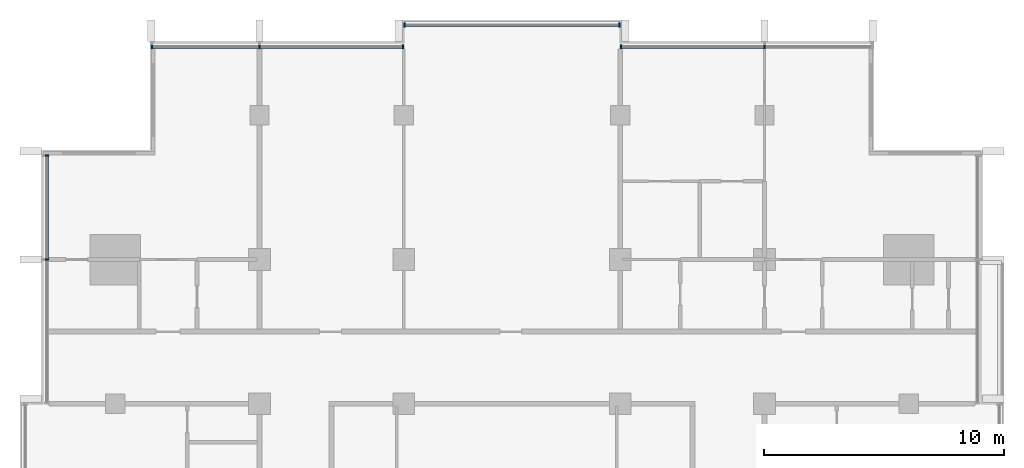
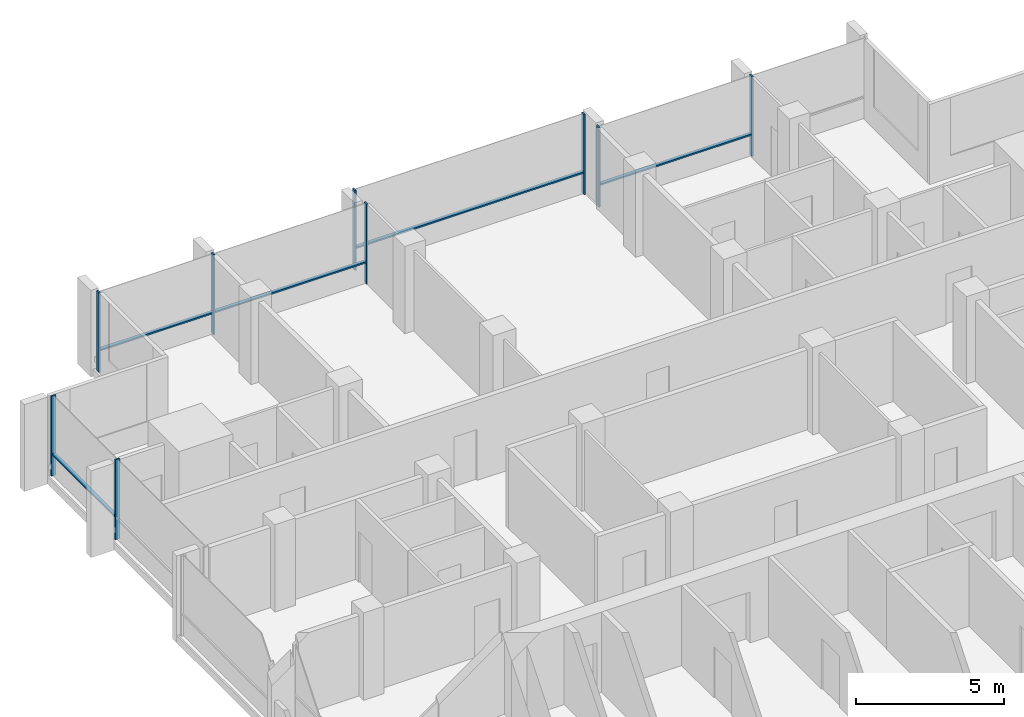
# One storey, part 4 of 16: 14 members, 4 elements without a shape of their own.
"""IFC4 building model written with IfcOpenShell, lengths in metres."""

from ifc_helpers import new_model, si_unit, direction, frame, origin, origin_2d, place, context, subcontext, project, spatial, rectangle, extrude, material, material_profile, profile_set, type_object, element, aggregate, save


model = new_model("IFC4")

# Units and contexts
model_context = context("Model", 3, precision=1e-05, world=origin(), true_north=direction((0.0, 1.0)))
body_context = subcontext(model_context, "Body", "Model", "MODEL_VIEW")
ifc_project = project(units=[si_unit("LENGTHUNIT", "METRE"), si_unit("AREAUNIT", "SQUARE_METRE"), si_unit("VOLUMEUNIT", "CUBIC_METRE"), si_unit("PLANEANGLEUNIT", "RADIAN"), si_unit("MASSUNIT", "GRAM", prefix="KILO")], contexts=[model_context])

# Site, building, storey
site_placement = place(None, origin())
site = spatial("IfcSite", under=ifc_project, at=site_placement, CompositionType="ELEMENT")
building_placement = place(site_placement, origin())
building = spatial("IfcBuilding", under=site, at=building_placement, Name="Finial Court Residences", CompositionType="ELEMENT")
storey_placement = place(building_placement, frame((0.0, 0.0, 212.300048828125)))
storey = spatial("IfcBuildingStorey", under=building, at=storey_placement, Name="L53", CompositionType="ELEMENT", Elevation=212.300048828125)

# Curtain wall, members
ifc_material = material(Name="Bronze anodised aluminium", Category="aluminium")
curtain_wall_type = type_object("IfcCurtainWallType", Name="Unitised curtain wall, upper zones", PredefinedType="NOTDEFINED", material=ifc_material)
curtain_wall_1_placement = place(storey_placement, origin())
curtain_wall_1 = element("IfcCurtainWall", 1, at=curtain_wall_1_placement, inside=storey, type_object=curtain_wall_type, Name="E-L53-CW-N1", PredefinedType="NOTDEFINED")
ifc_material_profile_1 = material_profile(ifc_material, rectangle(XDim=0.175048828125, YDim=0.06005859375, at=origin_2d()), Name="CW2 mullion 60 x 175")
ifc_profile_set_1 = profile_set([ifc_material_profile_1], Name="Bronze anodised aluminium")
member_type_1 = type_object("IfcMemberType", Name="CW2 mullion 60 x 175", PredefinedType="MULLION", material=ifc_profile_set_1)
member_1_placement = place(storey_placement, frame((-14.969970703125, 16.35009765625, 0.0), z_axis=(0.0, 0.0, 1.0), x_axis=(0.0, 1.0, 0.0)))
member_1 = element("IfcMember", 2, at=member_1_placement, type_object=member_type_1, Name="CW2 mullion 1", PredefinedType="MULLION", context=body_context, shape_type="SweptSolid", body=[
    extrude(rectangle(XDim=0.175048828125, YDim=0.06005859375, at=origin_2d()), origin(), (0.0, 0.0, 1.0), 3.300048828125),
])
member_2_placement = place(storey_placement, frame((-10.5, 16.35009765625, 0.0), z_axis=(0.0, 0.0, 1.0), x_axis=(0.0, 1.0, 0.0)))
member_2 = element("IfcMember", 3, at=member_2_placement, type_object=member_type_1, Name="CW2 mullion 2", PredefinedType="MULLION", context=body_context, shape_type="SweptSolid", body=[
    extrude(rectangle(XDim=0.175048828125, YDim=0.06005859375, at=origin_2d()), origin(), (0.0, 0.0, 1.0), 3.300048828125),
])
member_3_placement = place(storey_placement, frame((-4.530029296875, 16.35009765625, 0.0), z_axis=(0.0, 0.0, 1.0), x_axis=(0.0, 1.0, 0.0)))
member_3 = element("IfcMember", 4, at=member_3_placement, type_object=member_type_1, Name="CW2 mullion 3", PredefinedType="MULLION", context=body_context, shape_type="SweptSolid", body=[
    extrude(rectangle(XDim=0.175048828125, YDim=0.06005859375, at=origin_2d()), origin(), (0.0, 0.0, 1.0), 3.300048828125),
])

curtain_wall_2_placement = place(storey_placement, origin())
curtain_wall_2 = element("IfcCurtainWall", 5, at=curtain_wall_2_placement, inside=storey, type_object=curtain_wall_type, Name="E-L53-CW-N2", PredefinedType="NOTDEFINED")
member_4_placement = place(storey_placement, frame((-4.469970703125, 17.25, 0.0), z_axis=(0.0, 0.0, 1.0), x_axis=(0.0, 1.0, 0.0)))
member_4 = element("IfcMember", 6, at=member_4_placement, type_object=member_type_1, Name="CW2 mullion 1", PredefinedType="MULLION", context=body_context, shape_type="SweptSolid", body=[
    extrude(rectangle(XDim=0.175048828125, YDim=0.06005859375, at=origin_2d()), origin(), (0.0, 0.0, 1.0), 3.300048828125),
])
member_5_placement = place(storey_placement, frame((4.469970703125, 17.25, 0.0), z_axis=(0.0, 0.0, 1.0), x_axis=(0.0, 1.0, 0.0)))
member_5 = element("IfcMember", 7, at=member_5_placement, type_object=member_type_1, Name="CW2 mullion 2", PredefinedType="MULLION", context=body_context, shape_type="SweptSolid", body=[
    extrude(rectangle(XDim=0.175048828125, YDim=0.06005859375, at=origin_2d()), origin(), (0.0, 0.0, 1.0), 3.300048828125),
])

curtain_wall_3_placement = place(storey_placement, origin())
curtain_wall_3 = element("IfcCurtainWall", 8, at=curtain_wall_3_placement, inside=storey, type_object=curtain_wall_type, Name="E-L53-CW-N3", PredefinedType="NOTDEFINED")
member_6_placement = place(storey_placement, frame((4.530029296875, 16.35009765625, 0.0), z_axis=(0.0, 0.0, 1.0), x_axis=(0.0, 1.0, 0.0)))
member_6 = element("IfcMember", 9, at=member_6_placement, type_object=member_type_1, Name="CW2 mullion 1", PredefinedType="MULLION", context=body_context, shape_type="SweptSolid", body=[
    extrude(rectangle(XDim=0.175048828125, YDim=0.06005859375, at=origin_2d()), origin(), (0.0, 0.0, 1.0), 3.300048828125),
])
member_7_placement = place(storey_placement, frame((10.5, 16.35009765625, 0.0), z_axis=(0.0, 0.0, 1.0), x_axis=(0.0, 1.0, 0.0)))
member_7 = element("IfcMember", 10, at=member_7_placement, type_object=member_type_1, Name="CW2 mullion 2", PredefinedType="MULLION", context=body_context, shape_type="SweptSolid", body=[
    extrude(rectangle(XDim=0.175048828125, YDim=0.06005859375, at=origin_2d()), origin(), (0.0, 0.0, 1.0), 3.300048828125),
])

curtain_wall_4_placement = place(storey_placement, origin())
curtain_wall_4 = element("IfcCurtainWall", 11, at=curtain_wall_4_placement, inside=storey, type_object=curtain_wall_type, Name="E-L53-CW-W11", PredefinedType="NOTDEFINED")
member_8_placement = place(storey_placement, frame((-19.35009765625, 7.5, 0.0), z_axis=(0.0, 0.0, 1.0), x_axis=(-1.0, 0.0, 0.0)))
member_8 = element("IfcMember", 12, at=member_8_placement, type_object=member_type_1, Name="CW2 mullion 2", PredefinedType="MULLION", context=body_context, shape_type="SweptSolid", body=[
    extrude(rectangle(XDim=0.175048828125, YDim=0.06005859375, at=origin_2d()), origin(), (0.0, 0.0, 1.0), 3.300048828125),
])
member_9_placement = place(storey_placement, frame((-19.35009765625, 11.820068359375, 0.0), z_axis=(0.0, 0.0, 1.0), x_axis=(-1.0, 0.0, 0.0)))
member_9 = element("IfcMember", 13, at=member_9_placement, type_object=member_type_1, Name="CW2 mullion 3", PredefinedType="MULLION", context=body_context, shape_type="SweptSolid", body=[
    extrude(rectangle(XDim=0.175048828125, YDim=0.06005859375, at=origin_2d()), origin(), (0.0, 0.0, 1.0), 3.300048828125),
])

# Member
ifc_material_profile_2 = material_profile(ifc_material, rectangle(XDim=0.139892578125, YDim=0.06005859375, at=origin_2d()), Name="CW2 transom 60 x 140")
ifc_profile_set_2 = profile_set([ifc_material_profile_2], Name="Bronze anodised aluminium")
member_type_2 = type_object("IfcMemberType", Name="CW2 transom 60 x 140", PredefinedType="USERDEFINED", material=ifc_profile_set_2)
member_10_placement = place(storey_placement, frame((-14.93994140625, 16.35009765625, 0.89990234375), z_axis=(1.0, 0.0, 0.0), x_axis=(0.0, 1.0, 0.0)))
member_10 = element("IfcMember", 14, at=member_10_placement, type_object=member_type_2, Name="CW2 transom 1.1", ObjectType="TRANSOM", PredefinedType="USERDEFINED", context=body_context, shape_type="SweptSolid", body=[
    extrude(rectangle(XDim=0.139892578125, YDim=0.06005859375, at=origin_2d()), origin(), (0.0, 0.0, 1.0), 4.409912109375),
])

member_11_placement = place(storey_placement, frame((-10.469970703125, 16.35009765625, 0.89990234375), z_axis=(1.0, 0.0, 0.0), x_axis=(0.0, 1.0, 0.0)))
member_11 = element("IfcMember", 15, at=member_11_placement, type_object=member_type_2, Name="CW2 transom 2.1", ObjectType="TRANSOM", PredefinedType="USERDEFINED", context=body_context, shape_type="SweptSolid", body=[
    extrude(rectangle(XDim=0.139892578125, YDim=0.06005859375, at=origin_2d()), origin(), (0.0, 0.0, 1.0), 5.909912109375),
])

aggregate(curtain_wall_1, [member_1, member_2, member_3, member_10, member_11])

member_12_placement = place(storey_placement, frame((-4.43994140625, 17.25, 0.89990234375), z_axis=(1.0, 0.0, 0.0), x_axis=(0.0, 1.0, 0.0)))
member_12 = element("IfcMember", 16, at=member_12_placement, type_object=member_type_2, Name="CW2 transom 1.1", ObjectType="TRANSOM", PredefinedType="USERDEFINED", context=body_context, shape_type="SweptSolid", body=[
    extrude(rectangle(XDim=0.139892578125, YDim=0.06005859375, at=origin_2d()), origin(), (0.0, 0.0, 1.0), 8.8798828125),
])

aggregate(curtain_wall_2, [member_4, member_5, member_12])

member_13_placement = place(storey_placement, frame((4.56005859375, 16.35009765625, 0.89990234375), z_axis=(1.0, 0.0, 0.0), x_axis=(0.0, 1.0, 0.0)))
member_13 = element("IfcMember", 17, at=member_13_placement, type_object=member_type_2, Name="CW2 transom 1.1", ObjectType="TRANSOM", PredefinedType="USERDEFINED", context=body_context, shape_type="SweptSolid", body=[
    extrude(rectangle(XDim=0.139892578125, YDim=0.06005859375, at=origin_2d()), origin(), (0.0, 0.0, 1.0), 5.909912109375),
])

aggregate(curtain_wall_3, [member_6, member_7, member_13])

member_14_placement = place(storey_placement, frame((-19.35009765625, 7.530029296875, 0.89990234375), z_axis=(0.0, 1.0, 0.0), x_axis=(-1.0, 0.0, 0.0)))
member_14 = element("IfcMember", 18, at=member_14_placement, type_object=member_type_2, Name="CW2 transom 2.1", ObjectType="TRANSOM", PredefinedType="USERDEFINED", context=body_context, shape_type="SweptSolid", body=[
    extrude(rectangle(XDim=0.139892578125, YDim=0.06005859375, at=origin_2d()), origin(), (0.0, 0.0, 1.0), 4.260009765625),
])

aggregate(curtain_wall_4, [member_8, member_9, member_14])

save(model, "model.ifc")
